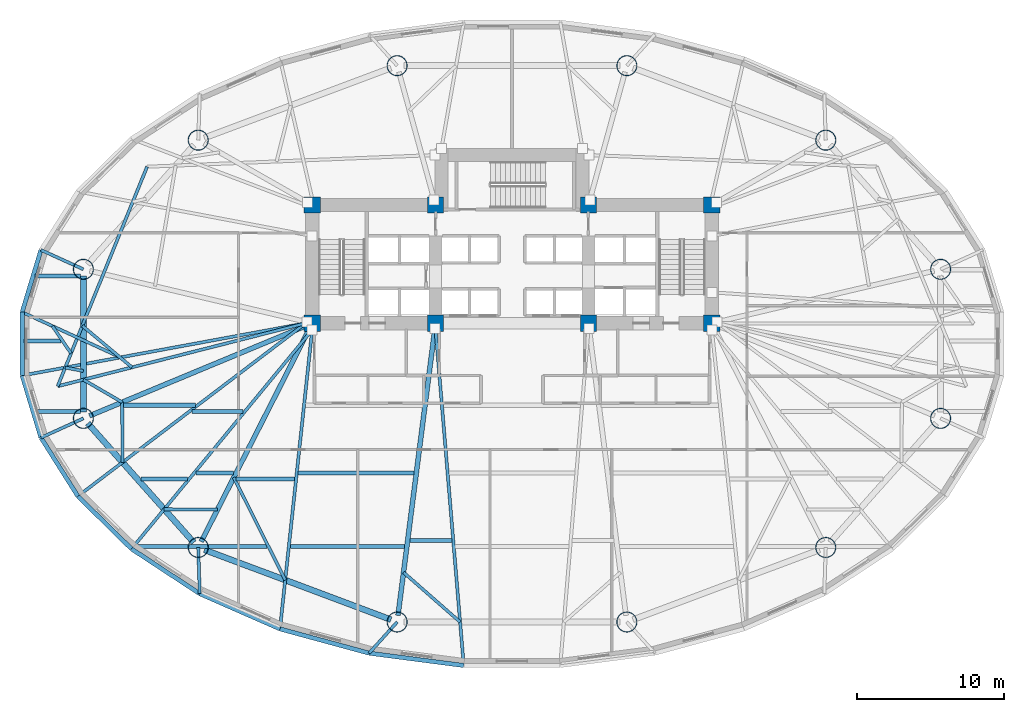
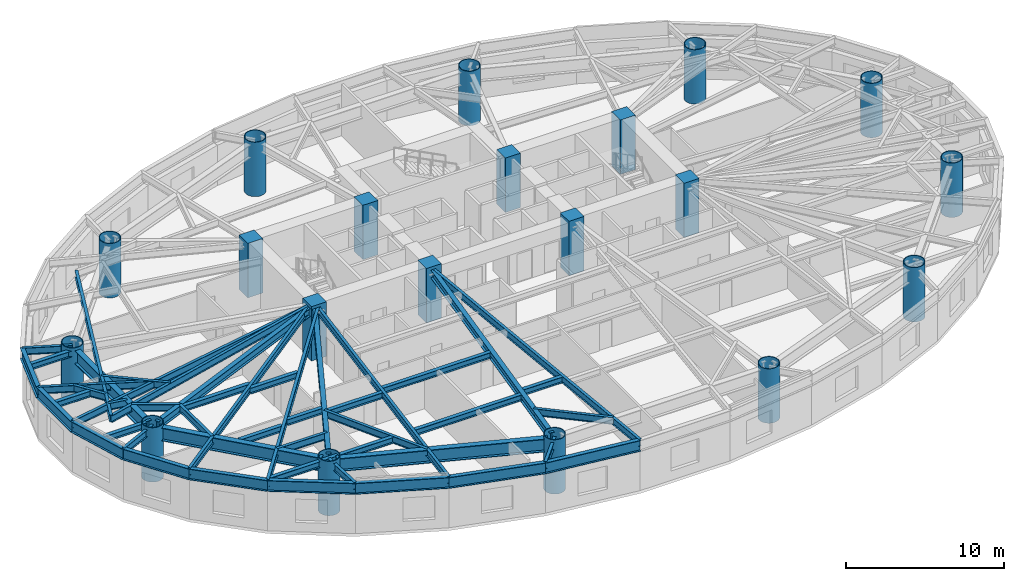
# One storey, part 1 of 14: 47 beams, 20 columns.
"""IFC4 building model written with IfcOpenShell, lengths in metres."""

from ifc_helpers import new_model, si_unit, direction, frame, origin, origin_2d, place, context, subcontext, project, spatial, rectangle, hollow_circle, i_section, extrude, material, material_profile, profile_set, type_object, element, save


model = new_model("IFC4")

# Units and contexts
model_context = context("Model", 3, precision=1e-05, world=origin(), true_north=direction((0.0, 1.0)))
body_context = subcontext(model_context, "Body", "Model", "MODEL_VIEW")
ifc_project = project(units=[si_unit("LENGTHUNIT", "METRE"), si_unit("AREAUNIT", "SQUARE_METRE"), si_unit("VOLUMEUNIT", "CUBIC_METRE"), si_unit("PLANEANGLEUNIT", "RADIAN"), si_unit("MASSUNIT", "GRAM", prefix="KILO")], contexts=[model_context])

# Site, building, storey
site_placement = place(None, origin())
site = spatial("IfcSite", under=ifc_project, at=site_placement, CompositionType="ELEMENT")
building_placement = place(site_placement, origin())
building = spatial("IfcBuilding", under=site, at=building_placement, Name="Keldmark Tower", CompositionType="ELEMENT")
storey_placement = place(building_placement, frame((0.0, 0.0, 18.60009765625)))
storey = spatial("IfcBuildingStorey", under=building, at=storey_placement, Name="L04", CompositionType="ELEMENT", Elevation=18.60009765625)

# Columns
ifc_material_1 = material(Name="Concrete C70/85", Category="concrete")
ifc_material_profile_1 = material_profile(ifc_material_1, rectangle(XDim=1.10009765625, YDim=1.10009765625, at=origin_2d()), Name="RC1100X1100")
ifc_profile_set_1 = profile_set([ifc_material_profile_1], Name="Concrete C70/85")
column_type_1 = type_object("IfcColumnType", Name="Core Boundary Column RC1100", PredefinedType="COLUMN", material=ifc_profile_set_1)
for number, where, z_axis, x_axis, name in (
    (1, (-13.60009765625, 1.39990234375, 0.0), (0.0, 0.0, 1.0), (1.0, 0.0, 0.0), "L04 Core Boundary Column CC-W1"),
    (2, (-13.60009765625, 9.449951171875, 0.0), (0.0, 0.0, 1.0), (1.0, 0.0, 0.0), "L04 Core Boundary Column CC-W2"),
    (3, (-5.199951171875, 1.39990234375, 0.0), (0.0, 0.0, 1.0), (1.0, 0.0, 0.0), "L04 Core Boundary Column CC-W3"),
    (4, (-5.199951171875, 9.449951171875, 0.0), (0.0, 0.0, 1.0), (1.0, 0.0, 0.0), "L04 Core Boundary Column CC-W4"),
    (5, (5.199951171875, 1.39990234375, 0.0), (0.0, 0.0, 1.0), (1.0, 0.0, 0.0), "L04 Core Boundary Column CC-E1"),
    (6, (5.199951171875, 9.449951171875, 0.0), (0.0, 0.0, 1.0), (1.0, 0.0, 0.0), "L04 Core Boundary Column CC-E2"),
    (7, (13.60009765625, 1.39990234375, 0.0), (0.0, 0.0, 1.0), (1.0, 0.0, 0.0), "L04 Core Boundary Column CC-E3"),
    (8, (13.60009765625, 9.449951171875, 0.0), (0.0, 0.0, 1.0), (1.0, 0.0, 0.0), "L04 Core Boundary Column CC-E4"),
):
    element("IfcColumn", number, at=place(storey_placement, frame(where, z_axis=z_axis, x_axis=x_axis)), inside=storey, type_object=column_type_1, Name=name, PredefinedType="COLUMN", context=body_context, shape_type="SweptSolid", body=[
        extrude(rectangle(XDim=1.10009765625, YDim=1.10009765625, at=origin_2d()), origin(), (0.0, 0.0, 1.0), 4.199951171875),
    ])
ifc_material_2 = material(Name="Steel ASTM A572 Grade 50", Category="steel")
ifc_material_profile_2 = material_profile(ifc_material_2, hollow_circle(Radius=0.699951171875, WallThickness=0.050048828125, at=origin_2d()), Name="CHS1400X50")
ifc_profile_set_2 = profile_set([ifc_material_profile_2], Name="Steel ASTM A572 Grade 50")
column_type_2 = type_object("IfcColumnType", Name="Pilotis Mega-Column Upper CHS1400", PredefinedType="USERDEFINED", material=ifc_profile_set_2)
for number, where, z_axis, x_axis, name in (
    (9, (29.1708984375, 5.072998046875, 0.0), (0.0, 0.0, 1.0), (1.0, 0.0, 0.0), "L04 Pilotis Mega-Column MC-01"),
    (10, (21.3544921875, 13.859375, 0.0), (0.0, 0.0, 1.0), (1.0, 0.0, 0.0), "L04 Pilotis Mega-Column MC-02"),
    (11, (7.81640625, 18.93212890625, 0.0), (0.0, 0.0, 1.0), (1.0, 0.0, 0.0), "L04 Pilotis Mega-Column MC-03"),
    (12, (-7.81640625, 18.93212890625, 0.0), (0.0, 0.0, 1.0), (1.0, 0.0, 0.0), "L04 Pilotis Mega-Column MC-04"),
    (13, (-21.3544921875, 13.859375, 0.0), (0.0, 0.0, 1.0), (1.0, 0.0, 0.0), "L04 Pilotis Mega-Column MC-05"),
    (14, (-29.1708984375, 5.072998046875, 0.0), (0.0, 0.0, 1.0), (1.0, 0.0, 0.0), "L04 Pilotis Mega-Column MC-06"),
    (15, (-29.1708984375, -5.072998046875, 0.0), (0.0, 0.0, 1.0), (1.0, 0.0, 0.0), "L04 Pilotis Mega-Column MC-07"),
    (16, (-21.3544921875, -13.859375, 0.0), (0.0, 0.0, 1.0), (1.0, 0.0, 0.0), "L04 Pilotis Mega-Column MC-08"),
    (17, (-7.81640625, -18.93212890625, 0.0), (0.0, 0.0, 1.0), (1.0, 0.0, 0.0), "L04 Pilotis Mega-Column MC-09"),
    (18, (7.81640625, -18.93212890625, 0.0), (0.0, 0.0, 1.0), (1.0, 0.0, 0.0), "L04 Pilotis Mega-Column MC-10"),
    (19, (21.3544921875, -13.859375, 0.0), (0.0, 0.0, 1.0), (1.0, 0.0, 0.0), "L04 Pilotis Mega-Column MC-11"),
    (20, (29.1708984375, -5.072998046875, 0.0), (0.0, 0.0, 1.0), (1.0, 0.0, 0.0), "L04 Pilotis Mega-Column MC-12"),
):
    element("IfcColumn", number, at=place(storey_placement, frame(where, z_axis=z_axis, x_axis=x_axis)), inside=storey, type_object=column_type_2, Name=name, ObjectType="MEGA COLUMN", PredefinedType="USERDEFINED", context=body_context, shape_type="SweptSolid", body=[
        extrude(hollow_circle(Radius=0.699951171875, WallThickness=0.050048828125, at=origin_2d()), origin(), (0.0, 0.0, 1.0), 4.199951171875),
    ])

# Beams
ifc_material_3 = material(Name="Steel ASTM A992 Grade 50", Category="steel")
ifc_material_profile_3 = material_profile(ifc_material_3, i_section(OverallWidth=0.280029296875, OverallDepth=0.462890625, WebThickness=0.0107421875, FlangeThickness=0.017333984375, at=origin_2d()), Name="W18X76")
ifc_profile_set_3 = profile_set([ifc_material_profile_3], Name="Steel ASTM A992 Grade 50")
beam_type_1 = type_object("IfcBeamType", Name="Composite Floor Joist W18X76", PredefinedType="JOIST", material=ifc_profile_set_3)
beam_1_placement = place(storey_placement, frame((-25.640625, -13.800048828125, 3.748291015625), z_axis=(1.0, 0.0, 0.0), x_axis=(0.0, 1.0, 0.0)))
element("IfcBeam", 21, at=beam_1_placement, inside=storey, type_object=beam_type_1, Name="L04 Composite Floor Joist J01", PredefinedType="JOIST", context=body_context, shape_type="SweptSolid", body=[
    extrude(i_section(OverallWidth=0.280029296875, OverallDepth=0.462890625, WebThickness=0.0107421875, FlangeThickness=0.017333984375, at=origin_2d()), origin(), (0.0, 0.0, 1.0), 8.95751953125),
])
beam_2_placement = place(storey_placement, frame((-15.091796875, -13.800048828125, 3.748291015625), z_axis=(1.0, 0.0, 0.0), x_axis=(0.0, 1.0, 0.0)))
element("IfcBeam", 22, at=beam_2_placement, inside=storey, type_object=beam_type_1, Name="L04 Composite Floor Joist J02", PredefinedType="JOIST", context=body_context, shape_type="SweptSolid", body=[
    extrude(i_section(OverallWidth=0.280029296875, OverallDepth=0.462890625, WebThickness=0.0107421875, FlangeThickness=0.017333984375, at=origin_2d()), origin(), (0.0, 0.0, 1.0), 7.780029296875),
])
beam_3_placement = place(storey_placement, frame((-6.946044921875, -13.3798828125, 3.748291015625), z_axis=(1.0, 0.0, 0.0), x_axis=(0.0, 1.0, 0.0)))
element("IfcBeam", 23, at=beam_3_placement, inside=storey, type_object=beam_type_1, Name="L04 Composite Floor Joist J03", PredefinedType="JOIST", context=body_context, shape_type="SweptSolid", body=[
    extrude(i_section(OverallWidth=0.280029296875, OverallDepth=0.462890625, WebThickness=0.0107421875, FlangeThickness=0.017333984375, at=origin_2d()), origin(), (0.0, 0.0, 1.0), 2.851806640625),
])
beam_4_placement = place(storey_placement, frame((-25.240966796875, -9.199951171875, 3.748291015625), z_axis=(1.0, 0.0, 0.0), x_axis=(0.0, 1.0, 0.0)))
element("IfcBeam", 24, at=beam_4_placement, inside=storey, type_object=beam_type_1, Name="L04 Composite Floor Joist J08", PredefinedType="JOIST", context=body_context, shape_type="SweptSolid", body=[
    extrude(i_section(OverallWidth=0.280029296875, OverallDepth=0.462890625, WebThickness=0.0107421875, FlangeThickness=0.017333984375, at=origin_2d()), origin(), (0.0, 0.0, 1.0), 3.142822265625),
])
beam_5_placement = place(storey_placement, frame((-21.5, -8.780029296875, 3.748291015625), z_axis=(1.0, 0.0, 0.0), x_axis=(0.0, 1.0, 0.0)))
element("IfcBeam", 25, at=beam_5_placement, inside=storey, type_object=beam_type_1, Name="L04 Composite Floor Joist J09", PredefinedType="JOIST", context=body_context, shape_type="SweptSolid", body=[
    extrude(i_section(OverallWidth=0.280029296875, OverallDepth=0.462890625, WebThickness=0.0107421875, FlangeThickness=0.017333984375, at=origin_2d()), origin(), (0.0, 0.0, 1.0), 2.552734375),
])
beam_6_placement = place(storey_placement, frame((-18.772216796875, -9.199951171875, 3.748291015625), z_axis=(1.0, 0.0, 0.0), x_axis=(0.0, 1.0, 0.0)))
element("IfcBeam", 26, at=beam_6_placement, inside=storey, type_object=beam_type_1, Name="L04 Composite Floor Joist J10", PredefinedType="JOIST", context=body_context, shape_type="SweptSolid", body=[
    extrude(i_section(OverallWidth=0.280029296875, OverallDepth=0.462890625, WebThickness=0.0107421875, FlangeThickness=0.017333984375, at=origin_2d()), origin(), (0.0, 0.0, 1.0), 3.982421875),
])
beam_7_placement = place(storey_placement, frame((-14.55126953125, -8.780029296875, 3.748291015625), z_axis=(1.0, 0.0, 0.0), x_axis=(0.0, 1.0, 0.0)))
element("IfcBeam", 27, at=beam_7_placement, inside=storey, type_object=beam_type_1, Name="L04 Composite Floor Joist J11", PredefinedType="JOIST", context=body_context, shape_type="SweptSolid", body=[
    extrude(i_section(OverallWidth=0.280029296875, OverallDepth=0.462890625, WebThickness=0.0107421875, FlangeThickness=0.017333984375, at=origin_2d()), origin(), (0.0, 0.0, 1.0), 7.885498046875),
])
beam_8_placement = place(storey_placement, frame((-32.455078125, -4.60009765625, 3.748291015625), z_axis=(1.0, 0.0, 0.0), x_axis=(0.0, 1.0, 0.0)))
element("IfcBeam", 28, at=beam_8_placement, inside=storey, type_object=beam_type_1, Name="L04 Composite Floor Joist J17", PredefinedType="JOIST", context=body_context, shape_type="SweptSolid", body=[
    extrude(i_section(OverallWidth=0.280029296875, OverallDepth=0.462890625, WebThickness=0.0107421875, FlangeThickness=0.017333984375, at=origin_2d()), origin(), (0.0, 0.0, 1.0), 3.092041015625),
])
beam_9_placement = place(storey_placement, frame((-26.43359375, -4.179931640625, 3.748291015625), z_axis=(1.0, 0.0, 0.0), x_axis=(0.0, 1.0, 0.0)))
element("IfcBeam", 29, at=beam_9_placement, inside=storey, type_object=beam_type_1, Name="L04 Composite Floor Joist J18", PredefinedType="JOIST", context=body_context, shape_type="SweptSolid", body=[
    extrude(i_section(OverallWidth=0.280029296875, OverallDepth=0.462890625, WebThickness=0.0107421875, FlangeThickness=0.017333984375, at=origin_2d()), origin(), (0.0, 0.0, 1.0), 4.87646484375),
])
beam_10_placement = place(storey_placement, frame((-21.7861328125, -4.60009765625, 3.748291015625), z_axis=(1.0, 0.0, 0.0), x_axis=(0.0, 1.0, 0.0)))
element("IfcBeam", 30, at=beam_10_placement, inside=storey, type_object=beam_type_1, Name="L04 Composite Floor Joist J19", PredefinedType="JOIST", context=body_context, shape_type="SweptSolid", body=[
    extrude(i_section(OverallWidth=0.280029296875, OverallDepth=0.462890625, WebThickness=0.0107421875, FlangeThickness=0.017333984375, at=origin_2d()), origin(), (0.0, 0.0, 1.0), 3.482177734375),
])
beam_11_placement = place(storey_placement, frame((-33.20166015625, 0.199951171875, 3.748291015625), z_axis=(1.0, 0.0, 0.0), x_axis=(0.0, 1.0, 0.0)))
element("IfcBeam", 31, at=beam_11_placement, inside=storey, type_object=beam_type_1, Name="L04 Composite Floor Joist J26", PredefinedType="JOIST", context=body_context, shape_type="SweptSolid", body=[
    extrude(i_section(OverallWidth=0.280029296875, OverallDepth=0.462890625, WebThickness=0.0107421875, FlangeThickness=0.017333984375, at=origin_2d()), origin(), (0.0, 0.0, 1.0), 2.49658203125),
])
beam_12_placement = place(storey_placement, frame((-32.44921875, 4.6201171875, 3.748291015625), z_axis=(1.0, 0.0, 0.0), x_axis=(0.0, 1.0, 0.0)))
element("IfcBeam", 32, at=beam_12_placement, inside=storey, type_object=beam_type_1, Name="L04 Composite Floor Joist J28", PredefinedType="JOIST", context=body_context, shape_type="SweptSolid", body=[
    extrude(i_section(OverallWidth=0.280029296875, OverallDepth=0.462890625, WebThickness=0.0107421875, FlangeThickness=0.017333984375, at=origin_2d()), origin(), (0.0, 0.0, 1.0), 3.086181640625),
])
ifc_material_4 = material(Name="Steel ASTM A992 Grade 50", Category="steel")
ifc_material_profile_4 = material_profile(ifc_material_4, i_section(OverallWidth=0.402099609375, OverallDepth=1.011962890625, WebThickness=0.023681640625, FlangeThickness=0.0419921875, at=origin_2d()), Name="W40X297")
ifc_profile_set_4 = profile_set([ifc_material_profile_4], Name="Steel ASTM A992 Grade 50")
beam_type_2 = type_object("IfcBeamType", Name="Podium Primary Girder W40X297", PredefinedType="BEAM", material=ifc_profile_set_4)
beam_13_placement = place(storey_placement, frame((-29.1708984375, 4.622802734375, 3.473876953125), z_axis=(0.0, -1.0, 0.0), x_axis=(1.0, 0.0, 0.0)))
element("IfcBeam", 33, at=beam_13_placement, inside=storey, type_object=beam_type_2, Name="L04 Podium Ring Girder PG-R06", PredefinedType="BEAM", context=body_context, shape_type="SweptSolid", body=[
    extrude(i_section(OverallWidth=0.402099609375, OverallDepth=1.011962890625, WebThickness=0.023681640625, FlangeThickness=0.0419921875, at=origin_2d()), origin(), (0.0, 0.0, 1.0), 9.24560546875),
])
beam_14_placement = place(storey_placement, frame((-28.871826171875, -5.4091796875, 3.473876953125), z_axis=(0.66464984112, -0.747154996436, 0.0), x_axis=(0.747154996436, 0.66464984112, 0.0)))
element("IfcBeam", 34, at=beam_14_placement, inside=storey, type_object=beam_type_2, Name="L04 Podium Ring Girder PG-R07", PredefinedType="BEAM", context=body_context, shape_type="SweptSolid", body=[
    extrude(i_section(OverallWidth=0.402099609375, OverallDepth=1.011962890625, WebThickness=0.023681640625, FlangeThickness=0.0419921875, at=origin_2d()), origin(), (0.0, 0.0, 1.0), 10.85986328125),
])
beam_15_placement = place(storey_placement, frame((-20.93310546875, -14.01708984375, 3.473876953125), z_axis=(0.936417954382, -0.350886612329, 0.0), x_axis=(0.350886612329, 0.936417954382, 0.0)))
element("IfcBeam", 35, at=beam_15_placement, inside=storey, type_object=beam_type_2, Name="L04 Podium Ring Girder PG-R08", PredefinedType="BEAM", context=body_context, shape_type="SweptSolid", body=[
    extrude(i_section(OverallWidth=0.402099609375, OverallDepth=1.011962890625, WebThickness=0.023681640625, FlangeThickness=0.0419921875, at=origin_2d()), origin(), (0.0, 0.0, 1.0), 13.557373046875),
])
ifc_material_5 = material(Name="Steel ASTM A992 Grade 50", Category="steel")
ifc_material_profile_5 = material_profile(ifc_material_5, i_section(OverallWidth=0.2099609375, OverallDepth=0.537109375, WebThickness=0.010986328125, FlangeThickness=0.017333984375, at=origin_2d()), Name="W21X68")
ifc_profile_set_5 = profile_set([ifc_material_profile_5], Name="Steel ASTM A992 Grade 50")
beam_type_3 = type_object("IfcBeamType", Name="Radial Tie Girder W21X68", PredefinedType="BEAM", material=ifc_profile_set_5)
beam_16_placement = place(storey_placement, frame((-26.53076171875, -3.975341796875, 3.71142578125), z_axis=(-0.864583927723, 0.502488439591, 0.0), x_axis=(-0.502488439591, -0.864583927723, 0.0)))
element("IfcBeam", 36, at=beam_16_placement, inside=storey, type_object=beam_type_3, Name="L04 Framing Pin Header PH-003", PredefinedType="BEAM", context=body_context, shape_type="SweptSolid", body=[
    extrude(i_section(OverallWidth=0.2099609375, OverallDepth=0.537109375, WebThickness=0.010986328125, FlangeThickness=0.017333984375, at=origin_2d()), origin(), (0.0, 0.0, 1.0), 3.0537109375),
])
beam_17_placement = place(storey_placement, frame((-14.050048828125, 1.39990234375, 3.71142578125), z_axis=(-0.969223280707, -0.246183330336, 0.0), x_axis=(0.246183330336, -0.969223280707, 0.0)))
element("IfcBeam", 37, at=beam_17_placement, inside=storey, type_object=beam_type_3, Name="L04 Sub-Ring Step Girder STP1-M07", PredefinedType="BEAM", context=body_context, shape_type="SweptSolid", body=[
    extrude(i_section(OverallWidth=0.2099609375, OverallDepth=0.537109375, WebThickness=0.010986328125, FlangeThickness=0.017333984375, at=origin_2d()), origin(), (0.0, 0.0, 1.0), 17.409423828125),
])
beam_18_placement = place(storey_placement, frame((-24.835205078125, 12.0546875, 3.71142578125), z_axis=(-0.377373313858, -0.926061219352, 0.0), x_axis=(0.926061219352, -0.377373313858, 0.0)))
element("IfcBeam", 38, at=beam_18_placement, inside=storey, type_object=beam_type_3, Name="L04 Perimeter Collector Ring Beam CRG1-M06", PredefinedType="BEAM", context=body_context, shape_type="SweptSolid", body=[
    extrude(i_section(OverallWidth=0.2099609375, OverallDepth=0.537109375, WebThickness=0.010986328125, FlangeThickness=0.017333984375, at=origin_2d()), origin(), (0.0, 0.0, 1.0), 16.133544921875),
])
beam_19_placement = place(storey_placement, frame((-25.861328125, -1.60009765625, 3.71142578125), z_axis=(-0.767009043325, 0.641636289075, 0.0), x_axis=(-0.641636289075, -0.767009043325, 0.0)))
element("IfcBeam", 39, at=beam_19_placement, inside=storey, type_object=beam_type_3, Name="L04 Framing Pin Header PH-006", PredefinedType="BEAM", context=body_context, shape_type="SweptSolid", body=[
    extrude(i_section(OverallWidth=0.2099609375, OverallDepth=0.537109375, WebThickness=0.010986328125, FlangeThickness=0.017333984375, at=origin_2d()), origin(), (0.0, 0.0, 1.0), 4.41259765625),
])
beam_20_placement = place(storey_placement, frame((-29.1708984375, 5.072998046875, 3.71142578125), z_axis=(-0.910237250682, 0.414087125458, 0.0), x_axis=(-0.414087125458, -0.910237250682, 0.0)))
element("IfcBeam", 40, at=beam_20_placement, inside=storey, type_object=beam_type_3, Name="L04 Perimeter Column Bracket RT-15", PredefinedType="BEAM", context=body_context, shape_type="SweptSolid", body=[
    extrude(i_section(OverallWidth=0.2099609375, OverallDepth=0.537109375, WebThickness=0.010986328125, FlangeThickness=0.017333984375, at=origin_2d()), origin(), (0.0, 0.0, 1.0), 3.17138671875),
])
beam_21_placement = place(storey_placement, frame((-30.01025390625, -0.644775390625, 3.71142578125), z_axis=(-0.564325178831, 0.825552598286, 0.0), x_axis=(-0.825552598286, -0.564325178831, 0.0)))
element("IfcBeam", 41, at=beam_21_placement, inside=storey, type_object=beam_type_3, Name="L04 Framing Pin Header PH-017", PredefinedType="BEAM", context=body_context, shape_type="SweptSolid", body=[
    extrude(i_section(OverallWidth=0.2099609375, OverallDepth=0.537109375, WebThickness=0.010986328125, FlangeThickness=0.017333984375, at=origin_2d()), origin(), (0.0, 0.0, 1.0), 2.244873046875),
])
beam_22_placement = place(storey_placement, frame((-26.70751953125, -0.892333984375, 3.71142578125), z_axis=(-0.908567400378, 0.417738290045, 0.0), x_axis=(-0.417738290045, -0.908567400378, 0.0)))
element("IfcBeam", 42, at=beam_22_placement, inside=storey, type_object=beam_type_3, Name="L04 Perimeter Radial Tie Girder RT-16", PredefinedType="BEAM", context=body_context, shape_type="SweptSolid", body=[
    extrude(i_section(OverallWidth=0.2099609375, OverallDepth=0.537109375, WebThickness=0.010986328125, FlangeThickness=0.017333984375, at=origin_2d()), origin(), (0.0, 0.0, 1.0), 7.29833984375),
])
beam_23_placement = place(storey_placement, frame((-29.1708984375, -1.84912109375, 3.71142578125), z_axis=(-0.982609535438, 0.185683873469, 0.0), x_axis=(-0.185683873469, -0.982609535438, 0.0)))
element("IfcBeam", 43, at=beam_23_placement, inside=storey, type_object=beam_type_3, Name="L04 Framing Pin Header PH-018", PredefinedType="BEAM", context=body_context, shape_type="SweptSolid", body=[
    extrude(i_section(OverallWidth=0.2099609375, OverallDepth=0.537109375, WebThickness=0.010986328125, FlangeThickness=0.017333984375, at=origin_2d()), origin(), (0.0, 0.0, 1.0), 1.257080078125),
])
beam_24_placement = place(storey_placement, frame((-14.050048828125, 1.39990234375, 3.71142578125), z_axis=(-0.983423761945, -0.181322101363, 0.0), x_axis=(0.181322101363, -0.983423761945, 0.0)))
element("IfcBeam", 44, at=beam_24_placement, inside=storey, type_object=beam_type_3, Name="L04 Perimeter Radial Tie Girder RT-17", PredefinedType="BEAM", context=body_context, shape_type="SweptSolid", body=[
    extrude(i_section(OverallWidth=0.2099609375, OverallDepth=0.537109375, WebThickness=0.010986328125, FlangeThickness=0.017333984375, at=origin_2d()), origin(), (0.0, 0.0, 1.0), 19.61376953125),
])
beam_25_placement = place(storey_placement, frame((-29.1708984375, -5.072998046875, 3.71142578125), z_axis=(-0.910237250682, -0.414087125458, 0.0), x_axis=(0.414087125458, -0.910237250682, 0.0)))
element("IfcBeam", 45, at=beam_25_placement, inside=storey, type_object=beam_type_3, Name="L04 Perimeter Column Bracket RT-18", PredefinedType="BEAM", context=body_context, shape_type="SweptSolid", body=[
    extrude(i_section(OverallWidth=0.2099609375, OverallDepth=0.537109375, WebThickness=0.010986328125, FlangeThickness=0.017333984375, at=origin_2d()), origin(), (0.0, 0.0, 1.0), 3.17138671875),
])
beam_26_placement = place(storey_placement, frame((-26.53076171875, -3.975341796875, 3.71142578125), z_axis=(0.005253345215, -0.999986201087, 0.0), x_axis=(0.999986201087, 0.005253345215, 0.0)))
element("IfcBeam", 46, at=beam_26_placement, inside=storey, type_object=beam_type_3, Name="L04 Framing Pin Header PH-019", PredefinedType="BEAM", context=body_context, shape_type="SweptSolid", body=[
    extrude(i_section(OverallWidth=0.2099609375, OverallDepth=0.537109375, WebThickness=0.010986328125, FlangeThickness=0.017333984375, at=origin_2d()), origin(), (0.0, 0.0, 1.0), 4.089599609375),
])
beam_27_placement = place(storey_placement, frame((-14.050048828125, 1.39990234375, 3.71142578125), z_axis=(-0.796291526481, -0.604913055616, 0.0), x_axis=(0.604913055616, -0.796291526481, 0.0)))
element("IfcBeam", 47, at=beam_27_placement, inside=storey, type_object=beam_type_3, Name="L04 Perimeter Radial Tie Girder RT-19", PredefinedType="BEAM", context=body_context, shape_type="SweptSolid", body=[
    extrude(i_section(OverallWidth=0.2099609375, OverallDepth=0.537109375, WebThickness=0.010986328125, FlangeThickness=0.017333984375, at=origin_2d()), origin(), (0.0, 0.0, 1.0), 19.458251953125),
])
beam_28_placement = place(storey_placement, frame((-20.0419921875, -11.276123046875, 3.71142578125), z_axis=(-0.999986569863, 0.005182672537, 0.0), x_axis=(-0.005182672537, -0.999986569863, 0.0)))
element("IfcBeam", 48, at=beam_28_placement, inside=storey, type_object=beam_type_3, Name="L04 Framing Pin Header PH-020", PredefinedType="BEAM", context=body_context, shape_type="SweptSolid", body=[
    extrude(i_section(OverallWidth=0.2099609375, OverallDepth=0.537109375, WebThickness=0.010986328125, FlangeThickness=0.017333984375, at=origin_2d()), origin(), (0.0, 0.0, 1.0), 3.627197265625),
])
beam_29_placement = place(storey_placement, frame((-13.60009765625, 0.949951171875, 3.71142578125), z_axis=(-0.636316421227, -0.771428163912, 0.0), x_axis=(0.771428163912, -0.636316421227, 0.0)))
element("IfcBeam", 49, at=beam_29_placement, inside=storey, type_object=beam_type_3, Name="L04 Perimeter Radial Tie Girder RT-20", PredefinedType="BEAM", context=body_context, shape_type="SweptSolid", body=[
    extrude(i_section(OverallWidth=0.2099609375, OverallDepth=0.537109375, WebThickness=0.010986328125, FlangeThickness=0.017333984375, at=origin_2d()), origin(), (0.0, 0.0, 1.0), 19.323486328125),
])
beam_30_placement = place(storey_placement, frame((-21.3544921875, -13.859375, 3.71142578125), z_axis=(0.032491176768, -0.999472022336, 0.0), x_axis=(0.999472022336, 0.032491176768, 0.0)))
element("IfcBeam", 50, at=beam_30_placement, inside=storey, type_object=beam_type_3, Name="L04 Perimeter Column Bracket RT-21", PredefinedType="BEAM", context=body_context, shape_type="SweptSolid", body=[
    extrude(i_section(OverallWidth=0.2099609375, OverallDepth=0.537109375, WebThickness=0.010986328125, FlangeThickness=0.017333984375, at=origin_2d()), origin(), (0.0, 0.0, 1.0), 3.1484375),
])
beam_31_placement = place(storey_placement, frame((-18.93310546875, -9.09423828125, 3.71142578125), z_axis=(0.447976051769, -0.894045556469, 0.0), x_axis=(0.894045556469, 0.447976051769, 0.0)))
element("IfcBeam", 51, at=beam_31_placement, inside=storey, type_object=beam_type_3, Name="L04 Framing Pin Header PH-021", PredefinedType="BEAM", context=body_context, shape_type="SweptSolid", body=[
    extrude(i_section(OverallWidth=0.2099609375, OverallDepth=0.537109375, WebThickness=0.010986328125, FlangeThickness=0.017333984375, at=origin_2d()), origin(), (0.0, 0.0, 1.0), 7.811279296875),
])
beam_32_placement = place(storey_placement, frame((-13.60009765625, 0.949951171875, 3.71142578125), z_axis=(-0.10706666985, -0.994251843452, 0.0), x_axis=(0.994251843452, -0.10706666985, 0.0)))
element("IfcBeam", 52, at=beam_32_placement, inside=storey, type_object=beam_type_3, Name="L04 Perimeter Radial Tie Girder RT-22", PredefinedType="BEAM", context=body_context, shape_type="SweptSolid", body=[
    extrude(i_section(OverallWidth=0.2099609375, OverallDepth=0.537109375, WebThickness=0.010986328125, FlangeThickness=0.017333984375, at=origin_2d()), origin(), (0.0, 0.0, 1.0), 20.469970703125),
])
beam_33_placement = place(storey_placement, frame((-7.81640625, -18.93212890625, 3.71142578125), z_axis=(-0.668898533975, -0.743353718795, 0.0), x_axis=(0.743353718795, -0.668898533975, 0.0)))
element("IfcBeam", 53, at=beam_33_placement, inside=storey, type_object=beam_type_3, Name="L04 Perimeter Column Bracket RT-23", PredefinedType="BEAM", context=body_context, shape_type="SweptSolid", body=[
    extrude(i_section(OverallWidth=0.2099609375, OverallDepth=0.537109375, WebThickness=0.010986328125, FlangeThickness=0.017333984375, at=origin_2d()), origin(), (0.0, 0.0, 1.0), 2.852783203125),
])
beam_34_placement = place(storey_placement, frame((-7.3818359375, -15.554931640625, 3.71142578125), z_axis=(0.751746259669, -0.659452470671, 0.0), x_axis=(0.659452470671, 0.751746259669, 0.0)))
element("IfcBeam", 54, at=beam_34_placement, inside=storey, type_object=beam_type_3, Name="L04 Framing Pin Header PH-022", PredefinedType="BEAM", context=body_context, shape_type="SweptSolid", body=[
    extrude(i_section(OverallWidth=0.2099609375, OverallDepth=0.537109375, WebThickness=0.010986328125, FlangeThickness=0.017333984375, at=origin_2d()), origin(), (0.0, 0.0, 1.0), 5.12109375),
])
beam_35_placement = place(storey_placement, frame((-5.199951171875, 0.949951171875, 3.71142578125), z_axis=(0.083591035889, -0.996500144867, 0.0), x_axis=(0.996500144867, 0.083591035889, 0.0)))
element("IfcBeam", 55, at=beam_35_placement, inside=storey, type_object=beam_type_3, Name="L04 Perimeter Radial Tie Girder RT-24", PredefinedType="BEAM", context=body_context, shape_type="SweptSolid", body=[
    extrude(i_section(OverallWidth=0.2099609375, OverallDepth=0.537109375, WebThickness=0.010986328125, FlangeThickness=0.017333984375, at=origin_2d()), origin(), (0.0, 0.0, 1.0), 22.92431640625),
])
ifc_material_6 = material(Name="Steel ASTM A992 Grade 50", Category="steel")
ifc_material_profile_6 = material_profile(ifc_material_6, i_section(OverallWidth=0.326904296875, OverallDepth=0.6220703125, WebThickness=0.015380859375, FlangeThickness=0.0244140625, at=origin_2d()), Name="W24X131")
ifc_profile_set_6 = profile_set([ifc_material_profile_6], Name="Steel ASTM A992 Grade 50")
beam_type_4 = type_object("IfcBeamType", Name="Spandrel Ring Beam W24X131", PredefinedType="SPANDREL", material=ifc_profile_set_6)
beam_36_placement = place(storey_placement, frame((-28.755615234375, -4.900146484375, 3.6689453125), z_axis=(0.923395872542, 0.383849010123, 0.0), x_axis=(-0.383849010123, 0.923395872542, 0.0)))
element("IfcBeam", 56, at=beam_36_placement, inside=storey, type_object=beam_type_4, Name="L04 Podium Radial Girder PG-C07", PredefinedType="SPANDREL", context=body_context, shape_type="SweptSolid", body=[
    extrude(i_section(OverallWidth=0.326904296875, OverallDepth=0.6220703125, WebThickness=0.015380859375, FlangeThickness=0.0244140625, at=origin_2d()), origin(), (0.0, 0.0, 1.0), 16.06298828125),
])
beam_37_placement = place(storey_placement, frame((-21.150634765625, -13.4580078125, 3.6689453125), z_axis=(0.45304555932, 0.891487364566, 0.0), x_axis=(-0.891487364566, 0.45304555932, 0.0)))
element("IfcBeam", 57, at=beam_37_placement, inside=storey, type_object=beam_type_4, Name="L04 Podium Radial Girder PG-C08", PredefinedType="SPANDREL", context=body_context, shape_type="SweptSolid", body=[
    extrude(i_section(OverallWidth=0.326904296875, OverallDepth=0.6220703125, WebThickness=0.015380859375, FlangeThickness=0.0244140625, at=origin_2d()), origin(), (0.0, 0.0, 1.0), 16.31640625),
])
beam_38_placement = place(storey_placement, frame((-7.7587890625, -18.48583984375, 3.6689453125), z_axis=(0.127622930912, 0.991822760127, 0.0), x_axis=(-0.991822760127, 0.127622930912, 0.0)))
element("IfcBeam", 58, at=beam_38_placement, inside=storey, type_object=beam_type_4, Name="L04 Podium Radial Girder PG-C09", PredefinedType="SPANDREL", context=body_context, shape_type="SweptSolid", body=[
    extrude(i_section(OverallWidth=0.326904296875, OverallDepth=0.6220703125, WebThickness=0.015380859375, FlangeThickness=0.0244140625, at=origin_2d()), origin(), (0.0, 0.0, 1.0), 19.699951171875),
])
ifc_material_7 = material(Name="Steel ASTM A992 Grade 50", Category="steel")
ifc_material_profile_7 = material_profile(ifc_material_7, i_section(OverallWidth=0.2919921875, OverallDepth=0.85888671875, WebThickness=0.01708984375, FlangeThickness=0.031005859375, at=origin_2d()), Name="W33X169")
ifc_profile_set_7 = profile_set([ifc_material_profile_7], Name="Steel ASTM A992 Grade 50")
beam_type_5 = type_object("IfcBeamType", Name="Spandrel Ring Beam W33X169", PredefinedType="SPANDREL", material=ifc_profile_set_7)
beam_39_placement = place(storey_placement, frame((-32.0576171875, 6.38623046875, 3.55029296875), z_axis=(-0.289855603468, -0.957070388811, 0.0), x_axis=(0.957070388811, -0.289855603468, 0.0)))
element("IfcBeam", 59, at=beam_39_placement, inside=storey, type_object=beam_type_5, Name="L04 Perimeter Spandrel Ring Beam SRB-15", PredefinedType="SPANDREL", context=body_context, shape_type="SweptSolid", body=[
    extrude(i_section(OverallWidth=0.2919921875, OverallDepth=0.85888671875, WebThickness=0.01708984375, FlangeThickness=0.031005859375, at=origin_2d()), origin(), (0.0, 0.0, 1.0), 4.41943359375),
])
beam_40_placement = place(storey_placement, frame((-33.338623046875, 2.156494140625, 3.55029296875), z_axis=(0.0, -1.0, 0.0), x_axis=(1.0, 0.0, 0.0)))
element("IfcBeam", 60, at=beam_40_placement, inside=storey, type_object=beam_type_5, Name="L04 Perimeter Spandrel Ring Beam SRB-16", PredefinedType="SPANDREL", context=body_context, shape_type="SweptSolid", body=[
    extrude(i_section(OverallWidth=0.2919921875, OverallDepth=0.85888671875, WebThickness=0.01708984375, FlangeThickness=0.031005859375, at=origin_2d()), origin(), (0.0, 0.0, 1.0), 4.31298828125),
])
beam_41_placement = place(storey_placement, frame((-33.338623046875, -2.156494140625, 3.55029296875), z_axis=(0.289855603468, -0.957070388811, 0.0), x_axis=(0.957070388811, 0.289855603468, 0.0)))
element("IfcBeam", 61, at=beam_41_placement, inside=storey, type_object=beam_type_5, Name="L04 Perimeter Spandrel Ring Beam SRB-17", PredefinedType="SPANDREL", context=body_context, shape_type="SweptSolid", body=[
    extrude(i_section(OverallWidth=0.2919921875, OverallDepth=0.85888671875, WebThickness=0.01708984375, FlangeThickness=0.031005859375, at=origin_2d()), origin(), (0.0, 0.0, 1.0), 4.41943359375),
])
beam_42_placement = place(storey_placement, frame((-32.0576171875, -6.38623046875, 3.55029296875), z_axis=(0.53349762721, -0.845801561693, 0.0), x_axis=(0.845801561693, 0.53349762721, 0.0)))
element("IfcBeam", 62, at=beam_42_placement, inside=storey, type_object=beam_type_5, Name="L04 Perimeter Spandrel Ring Beam SRB-18", PredefinedType="SPANDREL", context=body_context, shape_type="SweptSolid", body=[
    extrude(i_section(OverallWidth=0.2919921875, OverallDepth=0.85888671875, WebThickness=0.01708984375, FlangeThickness=0.031005859375, at=origin_2d()), origin(), (0.0, 0.0, 1.0), 4.710693359375),
])
beam_43_placement = place(storey_placement, frame((-29.54443359375, -10.37060546875, 3.55029296875), z_axis=(0.713165222071, -0.700995981464, 0.0), x_axis=(0.700995981464, 0.713165222071, 0.0)))
element("IfcBeam", 63, at=beam_43_placement, inside=storey, type_object=beam_type_5, Name="L04 Perimeter Spandrel Ring Beam SRB-19", PredefinedType="SPANDREL", context=body_context, shape_type="SweptSolid", body=[
    extrude(i_section(OverallWidth=0.2919921875, OverallDepth=0.85888671875, WebThickness=0.01708984375, FlangeThickness=0.031005859375, at=origin_2d()), origin(), (0.0, 0.0, 1.0), 5.11572265625),
])
beam_44_placement = place(storey_placement, frame((-25.89599609375, -13.956787109375, 3.55029296875), z_axis=(0.835897322981, -0.548885840073, 0.0), x_axis=(0.548885840073, 0.835897322981, 0.0)))
element("IfcBeam", 64, at=beam_44_placement, inside=storey, type_object=beam_type_5, Name="L04 Perimeter Spandrel Ring Beam SRB-20", PredefinedType="SPANDREL", context=body_context, shape_type="SweptSolid", body=[
    extrude(i_section(OverallWidth=0.2919921875, OverallDepth=0.85888671875, WebThickness=0.01708984375, FlangeThickness=0.031005859375, at=origin_2d()), origin(), (0.0, 0.0, 1.0), 5.555419921875),
])
beam_45_placement = place(storey_placement, frame((-21.252197265625, -17.006103515625, 3.55029296875), z_axis=(0.91570760638, -0.401845218484, 0.0), x_axis=(0.401845218484, 0.91570760638, 0.0)))
element("IfcBeam", 65, at=beam_45_placement, inside=storey, type_object=beam_type_5, Name="L04 Perimeter Spandrel Ring Beam SRB-21", PredefinedType="SPANDREL", context=body_context, shape_type="SweptSolid", body=[
    extrude(i_section(OverallWidth=0.2919921875, OverallDepth=0.85888671875, WebThickness=0.01708984375, FlangeThickness=0.031005859375, at=origin_2d()), origin(), (0.0, 0.0, 1.0), 5.963134765625),
])
beam_46_placement = place(storey_placement, frame((-15.791748046875, -19.40234375, 3.55029296875), z_axis=(0.964936550718, -0.262483243445, 0.0), x_axis=(0.262483243445, 0.964936550718, 0.0)))
element("IfcBeam", 66, at=beam_46_placement, inside=storey, type_object=beam_type_5, Name="L04 Perimeter Spandrel Ring Beam SRB-22", PredefinedType="SPANDREL", context=body_context, shape_type="SweptSolid", body=[
    extrude(i_section(OverallWidth=0.2919921875, OverallDepth=0.85888671875, WebThickness=0.01708984375, FlangeThickness=0.031005859375, at=origin_2d()), origin(), (0.0, 0.0, 1.0), 6.28759765625),
])
beam_47_placement = place(storey_placement, frame((-9.724609375, -21.052734375, 3.55029296875), z_axis=(0.991576921472, -0.129519144545, 0.0), x_axis=(0.129519144545, 0.991576921472, 0.0)))
element("IfcBeam", 67, at=beam_47_placement, inside=storey, type_object=beam_type_5, Name="L04 Perimeter Spandrel Ring Beam SRB-23", PredefinedType="SPANDREL", context=body_context, shape_type="SweptSolid", body=[
    extrude(i_section(OverallWidth=0.2919921875, OverallDepth=0.85888671875, WebThickness=0.01708984375, FlangeThickness=0.031005859375, at=origin_2d()), origin(), (0.0, 0.0, 1.0), 6.49560546875),
])

save(model, "model.ifc")
